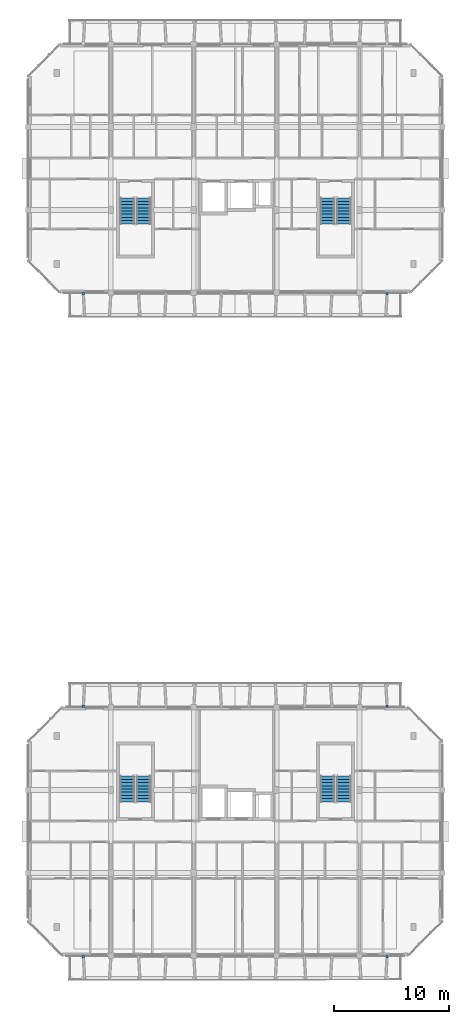
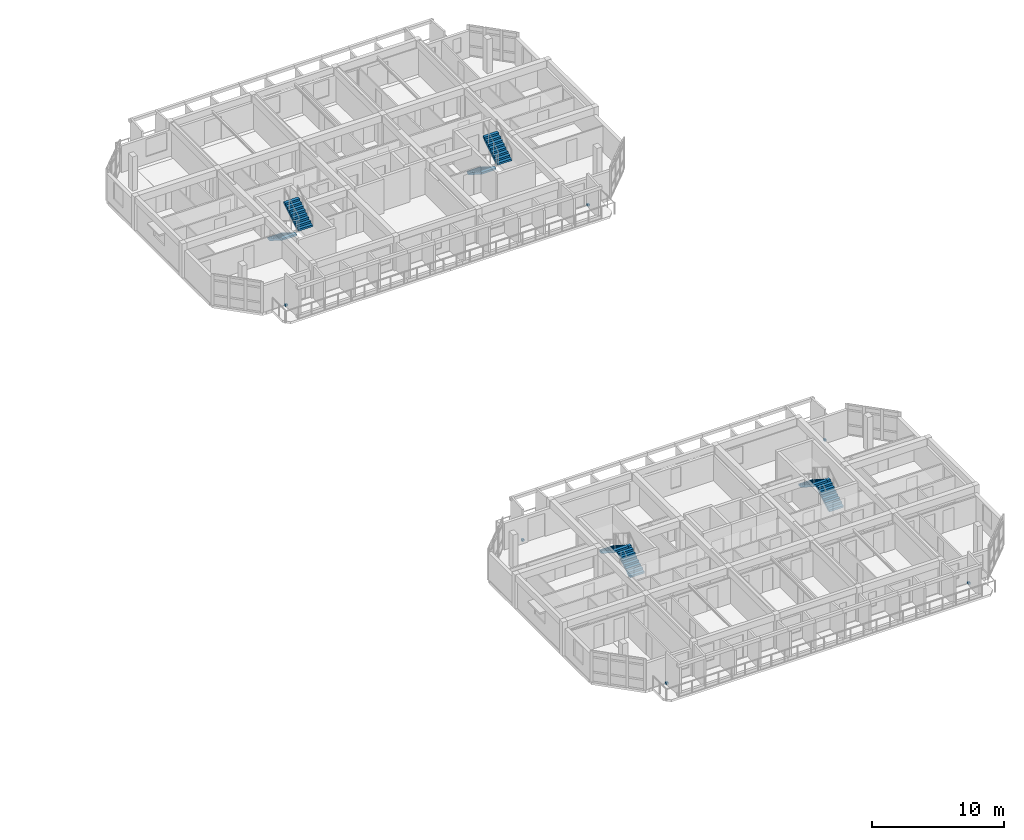
# One storey, part 22 of 30: 8 stair flights, 6 discrete accessories, 4 elements without a shape of their own.
"""IFC4 building model written with IfcOpenShell, lengths in metres."""

from ifc_helpers import new_model, si_unit, direction, frame, origin, origin_2d, place, context, subcontext, project, spatial, polyline, rectangle, outline, extrude, material, type_object, element, aggregate, save


model = new_model("IFC4")

# Units and contexts
model_context = context("Model", 3, precision=1e-05, world=origin(), true_north=direction((0.0, 1.0)))
body_context = subcontext(model_context, "Body", "Model", "MODEL_VIEW")
ifc_project = project(units=[si_unit("LENGTHUNIT", "METRE"), si_unit("AREAUNIT", "SQUARE_METRE"), si_unit("VOLUMEUNIT", "CUBIC_METRE"), si_unit("PLANEANGLEUNIT", "RADIAN"), si_unit("MASSUNIT", "GRAM", prefix="KILO")], contexts=[model_context])

# Site, building, storey
site_placement = place(None, origin())
site = spatial("IfcSite", under=ifc_project, at=site_placement, CompositionType="ELEMENT")
building_placement = place(site_placement, origin())
building = spatial("IfcBuilding", under=site, at=building_placement, Name="Ochrevale Crest", CompositionType="ELEMENT")
storey_placement = place(building_placement, frame((0.0, 0.0, 33.89990234375)))
storey = spatial("IfcBuildingStorey", under=building, at=storey_placement, Name="L10", CompositionType="ELEMENT", Elevation=33.89990234375)

# Stair, stair flights
ifc_material_1 = material(Name="Precast concrete C40/50", Category="concrete")
stair_type = type_object("IfcStairType", Name="ST-CORE-DOG", PredefinedType="HALF_TURN_STAIR", material=ifc_material_1)
stair_1_placement = place(storey_placement, origin())
stair_1 = element("IfcStair", 1, at=stair_1_placement, inside=storey, type_object=stair_type, Name="L10 Block C Fire Stair 1", PredefinedType="HALF_TURN_STAIR")
stair_flight_type = type_object("IfcStairFlightType", Name="SFL-CORE-125", PredefinedType="STRAIGHT", material=ifc_material_1)
stair_flight_1_placement = place(storey_placement, frame((139.625, 27.77490234375, 0.0), z_axis=(0.0, 0.0, 1.0), x_axis=(0.0, 1.0, 0.0)))
stair_flight_1 = element("IfcStairFlight", 2, at=stair_flight_1_placement, type_object=stair_flight_type, Name="ST-C1 flight 1", NumberOfRisers=9, NumberOfTreads=8, PredefinedType="STRAIGHT", RiserHeight=0.175, TreadLength=0.28, context=body_context, shape_type="SweptSolid", body=[
    extrude(outline(polyline([(0.0, 0.0), (0.0, 0.175048828125), (0.280029296875, 0.175048828125), (0.280029296875, 0.35009765625), (0.56005859375, 0.35009765625), (0.56005859375, 0.52490234375), (0.840087890625, 0.52490234375), (0.840087890625, 0.699951171875), (1.1201171875, 0.699951171875), (1.1201171875, 0.875), (1.39990234375, 0.875), (1.39990234375, 1.050048828125), (1.679931640625, 1.050048828125), (1.679931640625, 1.22509765625), (1.9599609375, 1.22509765625), (1.9599609375, 1.39990234375), (2.239990234375, 1.39990234375), (2.239990234375, 1.574951171875), (2.239990234375, 1.22314453125), (0.28271484375, 0.0), (0.0, 0.0)])), frame((0.0, 0.625, 0.0), z_axis=(0.0, -1.0, 0.0), x_axis=(1.0, 0.0, 0.0)), (0.0, 0.0, 1.0), 1.25),
])
stair_flight_2_placement = place(storey_placement, frame((138.22509765625, 30.014892578125, 1.5751953125), z_axis=(0.0, 0.0, 1.0), x_axis=(0.0, -1.0, 0.0)))
stair_flight_2 = element("IfcStairFlight", 3, at=stair_flight_2_placement, type_object=stair_flight_type, Name="ST-C1 flight 2", NumberOfRisers=9, NumberOfTreads=8, PredefinedType="STRAIGHT", RiserHeight=0.175, TreadLength=0.28, context=body_context, shape_type="SweptSolid", body=[
    extrude(outline(polyline([(0.0, 0.0), (0.0, 0.175048828125), (0.280029296875, 0.175048828125), (0.280029296875, 0.35009765625), (0.56005859375, 0.35009765625), (0.56005859375, 0.52490234375), (0.840087890625, 0.52490234375), (0.840087890625, 0.699951171875), (1.1201171875, 0.699951171875), (1.1201171875, 0.875), (1.39990234375, 0.875), (1.39990234375, 1.050048828125), (1.679931640625, 1.050048828125), (1.679931640625, 1.22509765625), (1.9599609375, 1.22509765625), (1.9599609375, 1.39990234375), (2.239990234375, 1.39990234375), (2.239990234375, 1.574951171875), (2.239990234375, 1.22314453125), (0.28271484375, 0.0), (0.0, 0.0)])), frame((0.0, 0.625, 0.0), z_axis=(0.0, -1.0, 0.0), x_axis=(1.0, 0.0, 0.0)), (0.0, 0.0, 1.0), 1.25),
])
aggregate(stair_1, [stair_flight_1, stair_flight_2])

stair_2_placement = place(storey_placement, origin())
stair_2 = element("IfcStair", 4, at=stair_2_placement, inside=storey, type_object=stair_type, Name="L10 Block C Fire Stair 2", PredefinedType="HALF_TURN_STAIR")
stair_flight_3_placement = place(storey_placement, frame((157.02490234375, 27.77490234375, 0.0), z_axis=(0.0, 0.0, 1.0), x_axis=(0.0, 1.0, 0.0)))
stair_flight_3 = element("IfcStairFlight", 5, at=stair_flight_3_placement, type_object=stair_flight_type, Name="ST-C2 flight 1", NumberOfRisers=9, NumberOfTreads=8, PredefinedType="STRAIGHT", RiserHeight=0.175, TreadLength=0.28, context=body_context, shape_type="SweptSolid", body=[
    extrude(outline(polyline([(0.0, 0.0), (0.0, 0.175048828125), (0.280029296875, 0.175048828125), (0.280029296875, 0.35009765625), (0.56005859375, 0.35009765625), (0.56005859375, 0.52490234375), (0.840087890625, 0.52490234375), (0.840087890625, 0.699951171875), (1.1201171875, 0.699951171875), (1.1201171875, 0.875), (1.39990234375, 0.875), (1.39990234375, 1.050048828125), (1.679931640625, 1.050048828125), (1.679931640625, 1.22509765625), (1.9599609375, 1.22509765625), (1.9599609375, 1.39990234375), (2.239990234375, 1.39990234375), (2.239990234375, 1.574951171875), (2.239990234375, 1.22314453125), (0.28271484375, 0.0), (0.0, 0.0)])), frame((0.0, 0.625, 0.0), z_axis=(0.0, -1.0, 0.0), x_axis=(1.0, 0.0, 0.0)), (0.0, 0.0, 1.0), 1.25),
])
stair_flight_4_placement = place(storey_placement, frame((155.625, 30.014892578125, 1.5751953125), z_axis=(0.0, 0.0, 1.0), x_axis=(0.0, -1.0, 0.0)))
stair_flight_4 = element("IfcStairFlight", 6, at=stair_flight_4_placement, type_object=stair_flight_type, Name="ST-C2 flight 2", NumberOfRisers=9, NumberOfTreads=8, PredefinedType="STRAIGHT", RiserHeight=0.175, TreadLength=0.28, context=body_context, shape_type="SweptSolid", body=[
    extrude(outline(polyline([(0.0, 0.0), (0.0, 0.175048828125), (0.280029296875, 0.175048828125), (0.280029296875, 0.35009765625), (0.56005859375, 0.35009765625), (0.56005859375, 0.52490234375), (0.840087890625, 0.52490234375), (0.840087890625, 0.699951171875), (1.1201171875, 0.699951171875), (1.1201171875, 0.875), (1.39990234375, 0.875), (1.39990234375, 1.050048828125), (1.679931640625, 1.050048828125), (1.679931640625, 1.22509765625), (1.9599609375, 1.22509765625), (1.9599609375, 1.39990234375), (2.239990234375, 1.39990234375), (2.239990234375, 1.574951171875), (2.239990234375, 1.22314453125), (0.28271484375, 0.0), (0.0, 0.0)])), frame((0.0, 0.625, 0.0), z_axis=(0.0, -1.0, 0.0), x_axis=(1.0, 0.0, 0.0)), (0.0, 0.0, 1.0), 1.25),
])
aggregate(stair_2, [stair_flight_3, stair_flight_4])

stair_3_placement = place(storey_placement, origin())
stair_3 = element("IfcStair", 7, at=stair_3_placement, inside=storey, type_object=stair_type, Name="L10 Block D Fire Stair 1", PredefinedType="HALF_TURN_STAIR")
stair_flight_5_placement = place(storey_placement, frame((138.22509765625, 80.22509765625, 0.0), z_axis=(0.0, 0.0, 1.0), x_axis=(0.0, -1.0, 0.0)))
stair_flight_5 = element("IfcStairFlight", 8, at=stair_flight_5_placement, type_object=stair_flight_type, Name="ST-D1 flight 1", NumberOfRisers=9, NumberOfTreads=8, PredefinedType="STRAIGHT", RiserHeight=0.175, TreadLength=0.28, context=body_context, shape_type="SweptSolid", body=[
    extrude(outline(polyline([(0.0, 0.0), (0.0, 0.175048828125), (0.280029296875, 0.175048828125), (0.280029296875, 0.35009765625), (0.56005859375, 0.35009765625), (0.56005859375, 0.52490234375), (0.840087890625, 0.52490234375), (0.840087890625, 0.699951171875), (1.1201171875, 0.699951171875), (1.1201171875, 0.875), (1.39990234375, 0.875), (1.39990234375, 1.050048828125), (1.679931640625, 1.050048828125), (1.679931640625, 1.22509765625), (1.9599609375, 1.22509765625), (1.9599609375, 1.39990234375), (2.239990234375, 1.39990234375), (2.239990234375, 1.574951171875), (2.239990234375, 1.22314453125), (0.28271484375, 0.0), (0.0, 0.0)])), frame((0.0, 0.625, 0.0), z_axis=(0.0, -1.0, 0.0), x_axis=(1.0, 0.0, 0.0)), (0.0, 0.0, 1.0), 1.25),
])
stair_flight_6_placement = place(storey_placement, frame((139.625, 77.985107421875, 1.5751953125), z_axis=(0.0, 0.0, 1.0), x_axis=(0.0, 1.0, 0.0)))
stair_flight_6 = element("IfcStairFlight", 9, at=stair_flight_6_placement, type_object=stair_flight_type, Name="ST-D1 flight 2", NumberOfRisers=9, NumberOfTreads=8, PredefinedType="STRAIGHT", RiserHeight=0.175, TreadLength=0.28, context=body_context, shape_type="SweptSolid", body=[
    extrude(outline(polyline([(0.0, 0.0), (0.0, 0.175048828125), (0.280029296875, 0.175048828125), (0.280029296875, 0.35009765625), (0.56005859375, 0.35009765625), (0.56005859375, 0.52490234375), (0.840087890625, 0.52490234375), (0.840087890625, 0.699951171875), (1.1201171875, 0.699951171875), (1.1201171875, 0.875), (1.39990234375, 0.875), (1.39990234375, 1.050048828125), (1.679931640625, 1.050048828125), (1.679931640625, 1.22509765625), (1.9599609375, 1.22509765625), (1.9599609375, 1.39990234375), (2.239990234375, 1.39990234375), (2.239990234375, 1.574951171875), (2.239990234375, 1.22314453125), (0.28271484375, 0.0), (0.0, 0.0)])), frame((0.0, 0.625, 0.0), z_axis=(0.0, -1.0, 0.0), x_axis=(1.0, 0.0, 0.0)), (0.0, 0.0, 1.0), 1.25),
])
aggregate(stair_3, [stair_flight_5, stair_flight_6])

stair_4_placement = place(storey_placement, origin())
stair_4 = element("IfcStair", 10, at=stair_4_placement, inside=storey, type_object=stair_type, Name="L10 Block D Fire Stair 2", PredefinedType="HALF_TURN_STAIR")
stair_flight_7_placement = place(storey_placement, frame((155.625, 80.22509765625, 0.0), z_axis=(0.0, 0.0, 1.0), x_axis=(0.0, -1.0, 0.0)))
stair_flight_7 = element("IfcStairFlight", 11, at=stair_flight_7_placement, type_object=stair_flight_type, Name="ST-D2 flight 1", NumberOfRisers=9, NumberOfTreads=8, PredefinedType="STRAIGHT", RiserHeight=0.175, TreadLength=0.28, context=body_context, shape_type="SweptSolid", body=[
    extrude(outline(polyline([(0.0, 0.0), (0.0, 0.175048828125), (0.280029296875, 0.175048828125), (0.280029296875, 0.35009765625), (0.56005859375, 0.35009765625), (0.56005859375, 0.52490234375), (0.840087890625, 0.52490234375), (0.840087890625, 0.699951171875), (1.1201171875, 0.699951171875), (1.1201171875, 0.875), (1.39990234375, 0.875), (1.39990234375, 1.050048828125), (1.679931640625, 1.050048828125), (1.679931640625, 1.22509765625), (1.9599609375, 1.22509765625), (1.9599609375, 1.39990234375), (2.239990234375, 1.39990234375), (2.239990234375, 1.574951171875), (2.239990234375, 1.22314453125), (0.28271484375, 0.0), (0.0, 0.0)])), frame((0.0, 0.625, 0.0), z_axis=(0.0, -1.0, 0.0), x_axis=(1.0, 0.0, 0.0)), (0.0, 0.0, 1.0), 1.25),
])
stair_flight_8_placement = place(storey_placement, frame((157.02490234375, 77.985107421875, 1.5751953125), z_axis=(0.0, 0.0, 1.0), x_axis=(0.0, 1.0, 0.0)))
stair_flight_8 = element("IfcStairFlight", 12, at=stair_flight_8_placement, type_object=stair_flight_type, Name="ST-D2 flight 2", NumberOfRisers=9, NumberOfTreads=8, PredefinedType="STRAIGHT", RiserHeight=0.175, TreadLength=0.28, context=body_context, shape_type="SweptSolid", body=[
    extrude(outline(polyline([(0.0, 0.0), (0.0, 0.175048828125), (0.280029296875, 0.175048828125), (0.280029296875, 0.35009765625), (0.56005859375, 0.35009765625), (0.56005859375, 0.52490234375), (0.840087890625, 0.52490234375), (0.840087890625, 0.699951171875), (1.1201171875, 0.699951171875), (1.1201171875, 0.875), (1.39990234375, 0.875), (1.39990234375, 1.050048828125), (1.679931640625, 1.050048828125), (1.679931640625, 1.22509765625), (1.9599609375, 1.22509765625), (1.9599609375, 1.39990234375), (2.239990234375, 1.39990234375), (2.239990234375, 1.574951171875), (2.239990234375, 1.22314453125), (0.28271484375, 0.0), (0.0, 0.0)])), frame((0.0, 0.625, 0.0), z_axis=(0.0, -1.0, 0.0), x_axis=(1.0, 0.0, 0.0)), (0.0, 0.0, 1.0), 1.25),
])
aggregate(stair_4, [stair_flight_7, stair_flight_8])

# Discrete accessories
ifc_material_2 = material(Name="Galvanised steel", Category="steel")
discrete_accessory_type = type_object("IfcDiscreteAccessoryType", Name="ACC-BRK-HC", PredefinedType="BRACKET", material=ifc_material_2)
for number, where, z_axis, x_axis, name in (
    (13, (134.39990234375, 14.300048828125, 0.0), (0.0, 0.0, 1.0), (1.0, 0.0, 0.0), "Block C L10 precast loggia corbel bracket"),
    (14, (160.800048828125, 14.300048828125, 0.0), (0.0, 0.0, 1.0), (1.0, 0.0, 0.0), "Block C L10 precast loggia corbel bracket"),
    (15, (134.39990234375, 36.10009765625, 0.0), (0.0, 0.0, 1.0), (1.0, 0.0, 0.0), "Block C L10 precast loggia corbel bracket"),
    (16, (160.800048828125, 36.10009765625, 0.0), (0.0, 0.0, 1.0), (1.0, 0.0, 0.0), "Block C L10 precast loggia corbel bracket"),
    (17, (134.39990234375, 71.89990234375, 0.0), (0.0, 0.0, 1.0), (1.0, 0.0, 0.0), "Block D L10 precast loggia corbel bracket"),
    (18, (160.800048828125, 71.89990234375, 0.0), (0.0, 0.0, 1.0), (1.0, 0.0, 0.0), "Block D L10 precast loggia corbel bracket"),
):
    element("IfcDiscreteAccessory", number, at=place(storey_placement, frame(where, z_axis=z_axis, x_axis=x_axis)), inside=storey, type_object=discrete_accessory_type, Name=name, PredefinedType="BRACKET", context=body_context, shape_type="SweptSolid", body=[
        extrude(rectangle(XDim=0.179931640625, YDim=0.219970703125, at=origin_2d()), origin(), (0.0, 0.0, 1.0), 0.179931640625),
    ])

save(model, "model.ifc")
